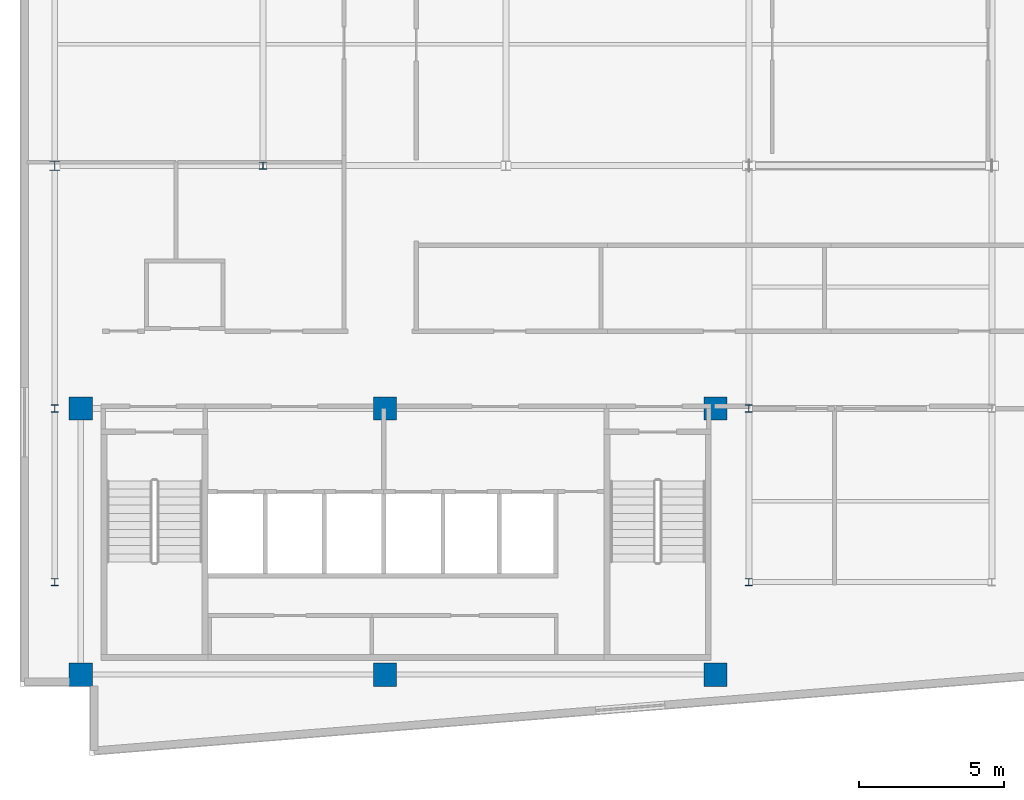
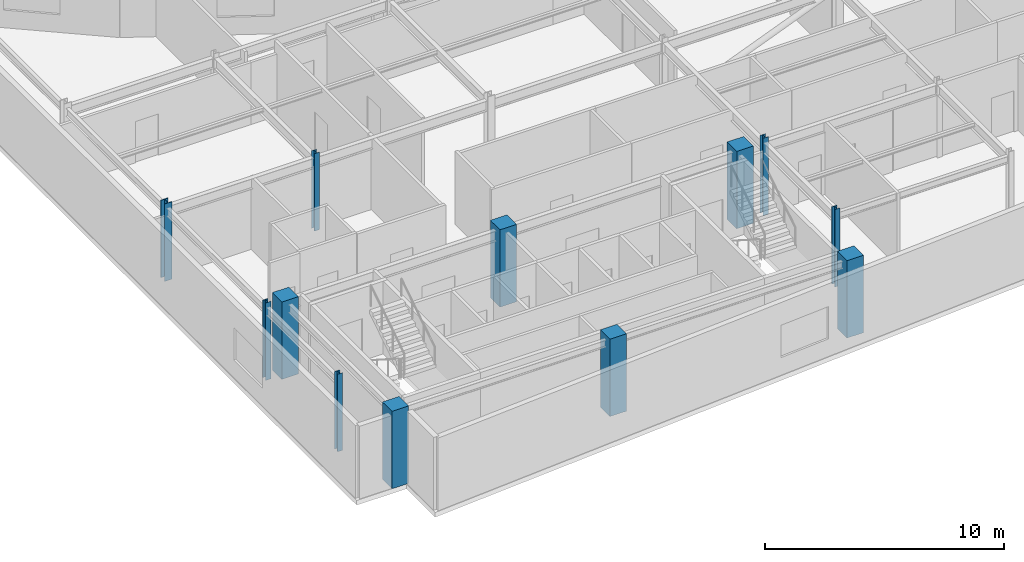
# One storey, part 1 of 17: 12 columns.
"""IFC4 building model written with IfcOpenShell, lengths in metres."""

from ifc_helpers import new_model, si_unit, direction, frame, origin, origin_2d, place, context, subcontext, project, spatial, rectangle, i_section, extrude, material, material_profile, profile_set, type_object, element, save


model = new_model("IFC4")

# Units and contexts
model_context = context("Model", 3, precision=1e-05, world=origin(), true_north=direction((0.0, 1.0)))
body_context = subcontext(model_context, "Body", "Model", "MODEL_VIEW")
ifc_project = project(units=[si_unit("LENGTHUNIT", "METRE"), si_unit("AREAUNIT", "SQUARE_METRE"), si_unit("VOLUMEUNIT", "CUBIC_METRE"), si_unit("PLANEANGLEUNIT", "RADIAN"), si_unit("MASSUNIT", "GRAM", prefix="KILO")], contexts=[model_context])

# Site, building, storey
site_placement = place(None, origin())
site = spatial("IfcSite", under=ifc_project, at=site_placement, CompositionType="ELEMENT")
building_placement = place(site_placement, origin())
building = spatial("IfcBuilding", under=site, at=building_placement, Name="Varnakote Quay Hospital", CompositionType="ELEMENT")
storey_placement = place(building_placement, frame((0.0, 0.0, 256.550048828125)))
storey = spatial("IfcBuildingStorey", under=building, at=storey_placement, Name="L63", CompositionType="ELEMENT", Elevation=256.550048828125)

# Columns
ifc_material_1 = material(Name="Concrete N50 (f'c 50 MPa)", Category="concrete")
ifc_material_profile_1 = material_profile(ifc_material_1, rectangle(XDim=0.800048828125, YDim=0.800048828125, at=origin_2d()), Name="RC-COL-800x800")
ifc_profile_set_1 = profile_set([ifc_material_profile_1], Name="Concrete N50 (f'c 50 MPa)")
column_type_1 = type_object("IfcColumnType", Name="COL-RC-800", PredefinedType="COLUMN", material=ifc_profile_set_1)
for number, where, z_axis, x_axis, name in (
    (1, (2.10009765625, 2.800048828125, 0.0), (0.0, 0.0, 1.0), (1.0, 0.0, 0.0), "L63 Structural Column C-2-3"),
    (2, (12.6201171875, 2.800048828125, 0.0), (0.0, 0.0, 1.0), (1.0, 0.0, 0.0), "L63 Structural Column C-13-3"),
    (3, (24.050048828125, 2.800048828125, 0.0), (0.0, 0.0, 1.0), (1.0, 0.0, 0.0), "L63 Structural Column C-24-3"),
    (4, (2.10009765625, 12.0, 0.0), (0.0, 0.0, 1.0), (1.0, 0.0, 0.0), "L63 Structural Column C-2-12"),
    (5, (12.6201171875, 12.0, 0.0), (0.0, 0.0, 1.0), (1.0, 0.0, 0.0), "L63 Structural Column C-13-12"),
    (6, (24.050048828125, 12.0, 0.0), (0.0, 0.0, 1.0), (1.0, 0.0, 0.0), "L63 Structural Column C-24-12"),
):
    element("IfcColumn", number, at=place(storey_placement, frame(where, z_axis=z_axis, x_axis=x_axis)), inside=storey, type_object=column_type_1, Name=name, PredefinedType="COLUMN", context=body_context, shape_type="SweptSolid", body=[
        extrude(rectangle(XDim=0.800048828125, YDim=0.800048828125, at=origin_2d()), origin(), (0.0, 0.0, 1.0), 3.949951171875),
    ])
ifc_material_2 = material(Name="Structural steel AS/NZS 3679.1 Grade 350 L0 (fy 340 MPa)", Category="steel")
ifc_material_profile_2 = material_profile(ifc_material_2, i_section(OverallWidth=0.25390625, OverallDepth=0.25390625, WebThickness=0.008544921875, FlangeThickness=0.01416015625, FilletRadius=0.0126953125, at=origin_2d()), Name="250UC72.9")
ifc_profile_set_2 = profile_set([ifc_material_profile_2], Name="Structural steel AS/NZS 3679.1 Grade 350 L0 (fy 340 MPa)")
column_type_2 = type_object("IfcColumnType", Name="COL-STL-250UC72-9", PredefinedType="COLUMN", material=ifc_profile_set_2)
for number, where, z_axis, x_axis, name in (
    (7, (1.199951171875, 6.0, 0.0), (0.0, 0.0, 1.0), (1.0, 0.0, 0.0), "L63 Structural Column C-1-6"),
    (8, (25.199951171875, 6.0, 0.0), (0.0, 0.0, 1.0), (1.0, 0.0, 0.0), "L63 Structural Column C-25-6"),
    (9, (1.199951171875, 12.0, 0.0), (0.0, 0.0, 1.0), (1.0, 0.0, 0.0), "L63 Structural Column C-1-12"),
    (10, (25.199951171875, 12.0, 0.0), (0.0, 0.0, 1.0), (1.0, 0.0, 0.0), "L63 Structural Column C-25-12"),
    (11, (8.39990234375, 20.39990234375, 0.0), (0.0, 0.0, 1.0), (1.0, 0.0, 0.0), "L63 Structural Column C-8-20"),
):
    element("IfcColumn", number, at=place(storey_placement, frame(where, z_axis=z_axis, x_axis=x_axis)), inside=storey, type_object=column_type_2, Name=name, PredefinedType="COLUMN", context=body_context, shape_type="SweptSolid", body=[
        extrude(i_section(OverallWidth=0.25390625, OverallDepth=0.25390625, WebThickness=0.008544921875, FlangeThickness=0.01416015625, FilletRadius=0.0126953125, at=origin_2d()), origin(), (0.0, 0.0, 1.0), 3.949951171875),
    ])
ifc_material_3 = material(Name="Structural steel AS/NZS 3678 Grade 350 (fy 340 MPa)", Category="steel")
ifc_material_profile_3 = material_profile(ifc_material_3, i_section(OverallWidth=0.35009765625, OverallDepth=0.340087890625, WebThickness=0.01611328125, FlangeThickness=0.028076171875, at=origin_2d()), Name="350WC197")
ifc_profile_set_3 = profile_set([ifc_material_profile_3], Name="Structural steel AS/NZS 3678 Grade 350 (fy 340 MPa)")
column_type_3 = type_object("IfcColumnType", Name="COL-STL-350WC197", PredefinedType="COLUMN", material=ifc_profile_set_3)
column_placement = place(storey_placement, frame((1.199951171875, 20.39990234375, 0.0), z_axis=(0.0, 0.0, 1.0), x_axis=(1.0, 0.0, 0.0)))
element("IfcColumn", 12, at=column_placement, inside=storey, type_object=column_type_3, Name="L63 Structural Column C-1-20", PredefinedType="COLUMN", context=body_context, shape_type="SweptSolid", body=[
    extrude(i_section(OverallWidth=0.35009765625, OverallDepth=0.340087890625, WebThickness=0.01611328125, FlangeThickness=0.028076171875, at=origin_2d()), origin(), (0.0, 0.0, 1.0), 3.949951171875),
])

save(model, "model.ifc")
